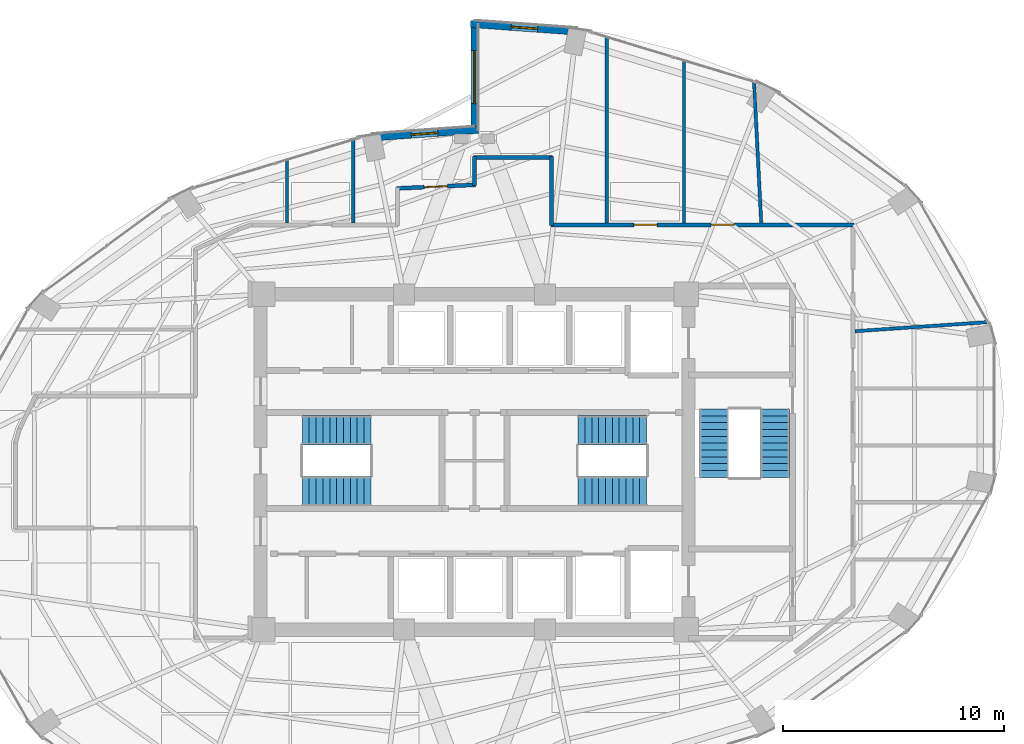
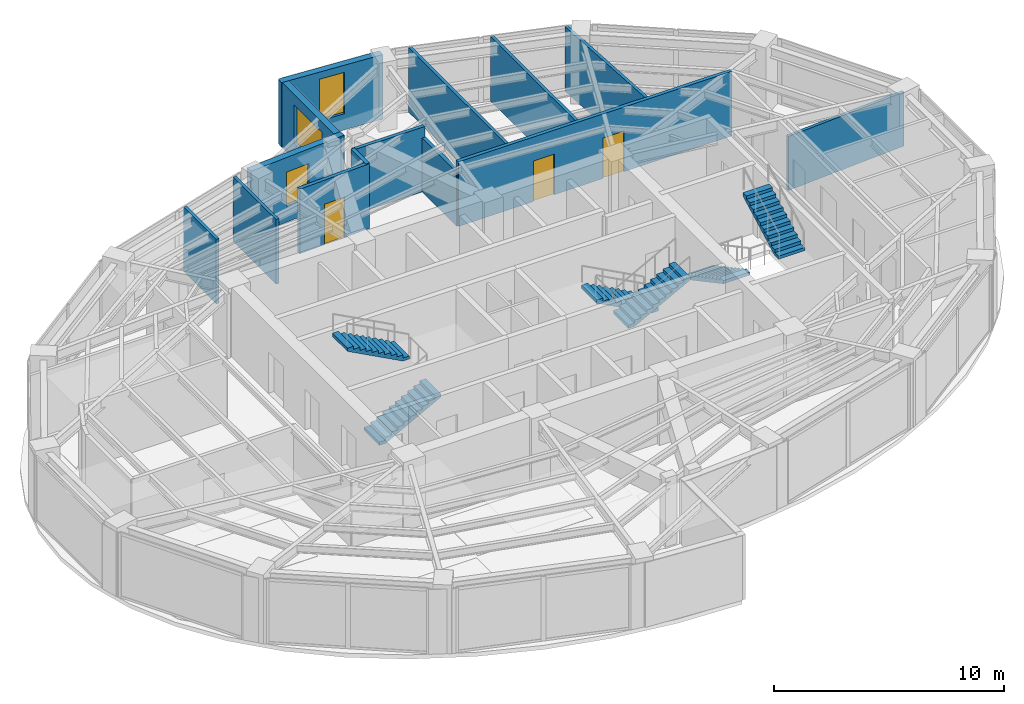
# One storey, part 18 of 20: 14 walls, 6 stair flights, 3 doors, 3 windows, 6 openings, 3 elements without a shape of their own.
"""IFC4 building model written with IfcOpenShell, lengths in metres."""

from ifc_helpers import new_model, si_unit, direction, frame, frame_2d, origin, place, context, subcontext, project, spatial, polyline, rectangle, outline, extrude, material, layer, layer_set, type_object, element, fill, aggregate, save


model = new_model("IFC4")

# Units and contexts
model_context = context("Model", 3, precision=1e-05, world=origin(), true_north=direction((0.0, 1.0)))
body_context = subcontext(model_context, "Body", "Model", "MODEL_VIEW")
ifc_project = project(units=[si_unit("LENGTHUNIT", "METRE"), si_unit("AREAUNIT", "SQUARE_METRE"), si_unit("VOLUMEUNIT", "CUBIC_METRE"), si_unit("PLANEANGLEUNIT", "RADIAN"), si_unit("MASSUNIT", "GRAM", prefix="KILO")], contexts=[model_context])

# Site, building, storey
site_placement = place(None, origin())
site = spatial("IfcSite", under=ifc_project, at=site_placement, CompositionType="ELEMENT")
building_placement = place(site_placement, origin())
building = spatial("IfcBuilding", under=site, at=building_placement, Name="Lazwardi Medical Tower", CompositionType="ELEMENT")
storey_placement = place(building_placement, frame((0.0, 0.0, 160.176025390625)))
storey = spatial("IfcBuildingStorey", under=building, at=storey_placement, Name="L41", CompositionType="ELEMENT", Elevation=160.176025390625)

# Wall, opening, door
ifc_material_1 = material(Name="Fire-rated gypsum board on steel stud", Category="steel")
ifc_layer_1 = layer(ifc_material_1, 0.179931640625)
ifc_layer_set_1 = layer_set([ifc_layer_1], Name="Fire-rated gypsum board on steel stud")
wall_type_1 = type_object("IfcWallType", Name="WL-COR-180", PredefinedType="PARTITIONING", material=ifc_layer_set_1)
wall_1_placement = place(storey_placement, frame((32.4599609375, 40.3974609375, 0.0), z_axis=(0.0, 0.0, 1.0), x_axis=(0.998948498694, 0.045846449783, 0.0)))
wall_1 = element("IfcWall", 1, at=wall_1_placement, inside=storey, type_object=wall_type_1, Name="L41 Corridor partition 8", PredefinedType="PARTITIONING", context=body_context, shape_type="SweptSolid", body=[
    extrude(rectangle(XDim=3.583740234375, YDim=0.179931640625, at=frame_2d((1.7919921875, 0.0))), origin(), (0.0, 0.0, 1.0), 3.427978515625),
])
opening_1_placement = place(wall_1_placement, frame((1.266845703125, 0.0, 0.0)))
opening_1 = element("IfcOpeningElement", 2, at=opening_1_placement, cuts=wall_1, Name="Opening D-L41-021", PredefinedType="OPENING", context=body_context, shape_type="SweptSolid", body=[
    extrude(rectangle(XDim=1.050048828125, YDim=2.14990234375, at=frame_2d((0.52490234375, 1.074951171875))), frame((0.0, 0.099853515625, 0.0), z_axis=(0.0, -1.0, 0.0), x_axis=(1.0, 0.0, 0.0)), (0.0, 0.0, 1.0), 0.199951171875),
])
ifc_material_2 = material(Name="Anti-microbial laminate hospital leaf")
door_type = type_object("IfcDoorType", Name="DR-CLN-1050", OperationType="NOTDEFINED", PredefinedType="DOOR", material=ifc_material_2)
door_1_placement = place(opening_1_placement, origin())
door_1 = element("IfcDoor", 3, at=door_1_placement, inside=storey, type_object=door_type, Name="L41 Outpatient Consultation Suite Door 09", OperationType="SINGLE_SWING_RIGHT", OverallHeight=2.14990234375, OverallWidth=1.050048828125, PredefinedType="DOOR", context=body_context, shape_type="SweptSolid", body=[
    extrude(rectangle(XDim=1.050048828125, YDim=2.14990234375, at=frame_2d((0.52490234375, 1.074951171875))), frame((0.0, 0.02490234375, 0.0), z_axis=(0.0, -1.0, 0.0), x_axis=(1.0, 0.0, 0.0)), (0.0, 0.0, 1.0), 0.050048828125),
])
fill(opening_1, door_1)

# Walls
wall_2_placement = place(storey_placement, frame((36.0, 40.52001953125, 0.0), z_axis=(0.0, 0.0, 1.0), x_axis=(0.0, 1.0, 0.0)))
element("IfcWall", 4, at=wall_2_placement, inside=storey, type_object=wall_type_1, Name="L41 Corridor partition 9", PredefinedType="PARTITIONING", context=body_context, shape_type="SweptSolid", body=[
    extrude(rectangle(XDim=1.320068359375, YDim=0.179931640625, at=frame_2d((0.66015625, 0.0))), origin(), (0.0, 0.0, 1.0), 3.427978515625),
])
wall_3_placement = place(storey_placement, frame((35.9599609375, 41.800048828125, 0.0), z_axis=(0.0, 0.0, 1.0), x_axis=(1.0, 0.0, 0.0)))
element("IfcWall", 5, at=wall_3_placement, inside=storey, type_object=wall_type_1, Name="L41 Corridor partition 10", PredefinedType="PARTITIONING", context=body_context, shape_type="SweptSolid", body=[
    extrude(rectangle(XDim=3.580078125, YDim=0.179931640625, at=frame_2d((1.7900390625, 0.0))), origin(), (0.0, 0.0, 1.0), 3.427978515625),
])
wall_4_placement = place(storey_placement, frame((39.5, 41.840087890625, 0.0), z_axis=(0.0, 0.0, 1.0), x_axis=(0.0, -1.0, 0.0)))
element("IfcWall", 6, at=wall_4_placement, inside=storey, type_object=wall_type_1, Name="L41 Corridor partition 11", PredefinedType="PARTITIONING", context=body_context, shape_type="SweptSolid", body=[
    extrude(rectangle(XDim=3.130126953125, YDim=0.179931640625, at=frame_2d((1.56494140625, 0.0))), origin(), (0.0, 0.0, 1.0), 2.863037109375),
])

# Wall, openings, doors
wall_5_placement = place(storey_placement, frame((39.4599609375, 38.75, 0.0), z_axis=(0.0, 0.0, 1.0), x_axis=(1.0, 0.0, 0.0)))
wall_5 = element("IfcWall", 7, at=wall_5_placement, inside=storey, type_object=wall_type_1, Name="L41 Corridor partition 12", PredefinedType="PARTITIONING", context=body_context, shape_type="SweptSolid", body=[
    extrude(rectangle(XDim=13.72998046875, YDim=0.179931640625, at=frame_2d((6.864990234375, 0.0))), origin(), (0.0, 0.0, 1.0), 3.427978515625),
])
opening_2_placement = place(wall_5_placement, frame((7.262939453125, 0.0, 0.0)))
opening_2 = element("IfcOpeningElement", 8, at=opening_2_placement, cuts=wall_5, Name="Opening D-L41-019", PredefinedType="OPENING", context=body_context, shape_type="SweptSolid", body=[
    extrude(rectangle(XDim=1.050048828125, YDim=2.14990234375, at=frame_2d((0.52490234375, 1.074951171875))), frame((0.0, 0.099853515625, 0.0), z_axis=(0.0, -1.0, 0.0), x_axis=(1.0, 0.0, 0.0)), (0.0, 0.0, 1.0), 0.199951171875),
])
opening_3_placement = place(wall_5_placement, frame((3.764892578125, 0.0, 0.0)))
opening_3 = element("IfcOpeningElement", 9, at=opening_3_placement, cuts=wall_5, Name="Opening D-L41-020", PredefinedType="OPENING", context=body_context, shape_type="SweptSolid", body=[
    extrude(rectangle(XDim=1.050048828125, YDim=2.14990234375, at=frame_2d((0.52490234375, 1.074951171875))), frame((0.0, 0.099853515625, 0.0), z_axis=(0.0, -1.0, 0.0), x_axis=(1.0, 0.0, 0.0)), (0.0, 0.0, 1.0), 0.199951171875),
])
door_2_placement = place(opening_2_placement, origin())
door_2 = element("IfcDoor", 10, at=door_2_placement, inside=storey, type_object=door_type, Name="L41 Outpatient Consultation Suite Door 07", OperationType="SINGLE_SWING_RIGHT", OverallHeight=2.14990234375, OverallWidth=1.050048828125, PredefinedType="DOOR", context=body_context, shape_type="SweptSolid", body=[
    extrude(rectangle(XDim=1.050048828125, YDim=2.14990234375, at=frame_2d((0.52490234375, 1.074951171875))), frame((0.0, 0.02490234375, 0.0), z_axis=(0.0, -1.0, 0.0), x_axis=(1.0, 0.0, 0.0)), (0.0, 0.0, 1.0), 0.050048828125),
])
fill(opening_2, door_2)
door_3_placement = place(opening_3_placement, origin())
door_3 = element("IfcDoor", 11, at=door_3_placement, inside=storey, type_object=door_type, Name="L41 Outpatient Consultation Suite Door 08", OperationType="SINGLE_SWING_LEFT", OverallHeight=2.14990234375, OverallWidth=1.050048828125, PredefinedType="DOOR", context=body_context, shape_type="SweptSolid", body=[
    extrude(rectangle(XDim=1.050048828125, YDim=2.14990234375, at=frame_2d((0.52490234375, 1.074951171875))), frame((0.0, 0.02490234375, 0.0), z_axis=(0.0, -1.0, 0.0), x_axis=(1.0, 0.0, 0.0)), (0.0, 0.0, 1.0), 0.050048828125),
])
fill(opening_3, door_3)

# Wall, opening, window
ifc_material_3 = material(Name="Precast concrete C45/55", Category="concrete")
ifc_layer_2 = layer(ifc_material_3, 0.320068359375)
ifc_layer_set_2 = layer_set([ifc_layer_2], Name="Precast concrete C45/55")
wall_type_2 = type_object("IfcWallType", Name="WL-IWAN-320", PredefinedType="SOLIDWALL", material=ifc_layer_set_2)
wall_6_placement = place(storey_placement, frame((40.700927734375, 47.501220703125, 0.0), z_axis=(0.0, 0.0, 1.0), x_axis=(-0.997415460462, 0.071849838072, 0.0)))
wall_6 = element("IfcWall", 12, at=wall_6_placement, inside=storey, type_object=wall_type_2, Name="L41 Iwan Portal Return Wall NE_ret", PredefinedType="SOLIDWALL", context=body_context, shape_type="SweptSolid", body=[
    extrude(rectangle(XDim=4.89306640625, YDim=0.320068359375, at=frame_2d((2.446533203125, 0.0))), origin(), (0.0, 0.0, 1.0), 3.427978515625),
])
opening_4_placement = place(wall_6_placement, frame((1.846435546875, 0.0, 0.85009765625)))
opening_4 = element("IfcOpeningElement", 13, at=opening_4_placement, cuts=wall_6, Name="Opening WN-01", PredefinedType="OPENING", context=body_context, shape_type="SweptSolid", body=[
    extrude(rectangle(XDim=1.199951171875, YDim=2.199951171875, at=frame_2d((0.60009765625, 1.10009765625))), frame((0.0, 0.169921875, 0.0), z_axis=(0.0, -1.0, 0.0), x_axis=(1.0, 0.0, 0.0)), (0.0, 0.0, 1.0), 0.340087890625),
])
ifc_material_4 = material(Name="Low-e bronze solar control double glazing", Category="glass")
window_type_1 = type_object("IfcWindowType", Name="WIN-IW-1200", PartitioningType="SINGLE_PANEL", PredefinedType="WINDOW", material=ifc_material_4)
window_1_placement = place(opening_4_placement, origin())
window_1 = element("IfcWindow", 14, at=window_1_placement, inside=storey, type_object=window_type_1, Name="L41 Iwan Slot Window NE_ret", OverallHeight=2.199951171875, OverallWidth=1.199951171875, PartitioningType="SINGLE_PANEL", PredefinedType="WINDOW", context=body_context, shape_type="SweptSolid", body=[
    extrude(rectangle(XDim=1.199951171875, YDim=2.199951171875, at=frame_2d((0.60009765625, 1.10009765625))), frame((0.0, 0.030029296875, 0.0), z_axis=(0.0, -1.0, 0.0), x_axis=(1.0, 0.0, 0.0)), (0.0, 0.0, 1.0), 0.06005859375),
])
fill(opening_4, window_1)

wall_7_placement = place(storey_placement, frame((36.17919921875, 43.052978515625, 0.0), z_axis=(0.0, 0.0, 1.0), x_axis=(-0.997415202861, -0.071853413984, 0.0)))
wall_7 = element("IfcWall", 15, at=wall_7_placement, inside=storey, type_object=wall_type_2, Name="L41 Iwan Portal Return Wall NW_ret", PredefinedType="SOLIDWALL", context=body_context, shape_type="SweptSolid", body=[
    extrude(rectangle(XDim=4.892822265625, YDim=0.320068359375, at=frame_2d((2.4462890625, 0.0))), origin(), (0.0, 0.0, 1.0), 3.427978515625),
])
opening_5_placement = place(wall_7_placement, frame((1.84619140625, 0.0, 0.85009765625)))
opening_5 = element("IfcOpeningElement", 16, at=opening_5_placement, cuts=wall_7, Name="Opening WN-04", PredefinedType="OPENING", context=body_context, shape_type="SweptSolid", body=[
    extrude(rectangle(XDim=1.199951171875, YDim=1.800048828125, at=frame_2d((0.60009765625, 0.89990234375))), frame((0.0, 0.169921875, 0.0), z_axis=(0.0, -1.0, 0.0), x_axis=(1.0, 0.0, 0.0)), (0.0, 0.0, 1.0), 0.340087890625),
])
window_type_2 = type_object("IfcWindowType", Name="WIN-DRUM-1200", PartitioningType="SINGLE_PANEL", PredefinedType="WINDOW", material=ifc_material_4)
window_2_placement = place(opening_5_placement, origin())
window_2 = element("IfcWindow", 17, at=window_2_placement, inside=storey, type_object=window_type_2, Name="L41 Iwan Slot Window NW_ret", OverallHeight=1.800048828125, OverallWidth=1.199951171875, PartitioningType="SINGLE_PANEL", PredefinedType="WINDOW", context=body_context, shape_type="SweptSolid", body=[
    extrude(rectangle(XDim=1.199951171875, YDim=1.800048828125, at=frame_2d((0.60009765625, 0.89990234375))), frame((0.0, 0.030029296875, 0.0), z_axis=(0.0, -1.0, 0.0), x_axis=(1.0, 0.0, 0.0)), (0.0, 0.0, 1.0), 0.06005859375),
])
fill(opening_5, window_2)

wall_8_placement = place(storey_placement, frame((36.0, 48.0, 0.0), z_axis=(0.0, 0.0, 1.0), x_axis=(0.0, -1.0, 0.0)))
wall_8 = element("IfcWall", 18, at=wall_8_placement, inside=storey, type_object=wall_type_2, Name="L41 Turquoise Tilework Iwan Seam Wall N_seam", PredefinedType="SOLIDWALL", context=body_context, shape_type="SweptSolid", body=[
    extrude(rectangle(XDim=5.1201171875, YDim=0.320068359375, at=frame_2d((2.56005859375, 0.0))), origin(), (0.0, 0.0, 1.0), 3.427978515625),
])
opening_6_placement = place(wall_8_placement, frame((1.360107421875, 0.0, 0.840087890625)))
opening_6 = element("IfcOpeningElement", 19, at=opening_6_placement, cuts=wall_8, Name="Opening WN-02", PredefinedType="OPENING", context=body_context, shape_type="SweptSolid", body=[
    extrude(rectangle(XDim=2.39990234375, YDim=2.0400390625, at=frame_2d((1.199951171875, 1.02001953125))), frame((0.0, 0.169921875, 0.0), z_axis=(0.0, -1.0, 0.0), x_axis=(1.0, 0.0, 0.0)), (0.0, 0.0, 1.0), 0.340087890625),
])
window_type_3 = type_object("IfcWindowType", Name="WIN-IW-2400", PartitioningType="SINGLE_PANEL", PredefinedType="WINDOW", material=ifc_material_4)
window_3_placement = place(opening_6_placement, origin())
window_3 = element("IfcWindow", 20, at=window_3_placement, inside=storey, type_object=window_type_3, Name="L41 Iwan Seam Window N_seam", OverallHeight=2.0400390625, OverallWidth=2.39990234375, PartitioningType="SINGLE_PANEL", PredefinedType="WINDOW", context=body_context, shape_type="SweptSolid", body=[
    extrude(rectangle(XDim=2.39990234375, YDim=2.0400390625, at=frame_2d((1.199951171875, 1.02001953125))), frame((0.0, 0.030029296875, 0.0), z_axis=(0.0, -1.0, 0.0), x_axis=(1.0, 0.0, 0.0)), (0.0, 0.0, 1.0), 0.06005859375),
])
fill(opening_6, window_3)

# Walls
ifc_material_5 = material(Name="Acoustic gypsum board partition")
ifc_layer_3 = layer(ifc_material_5, 0.14990234375)
ifc_layer_set_3 = layer_set([ifc_layer_3], Name="Acoustic gypsum board partition")
wall_type_3 = type_object("IfcWallType", Name="WL-WRD-150", PredefinedType="PARTITIONING", material=ifc_layer_set_3)
wall_9_placement = place(storey_placement, frame((53.23974609375, 33.925048828125, 0.0), z_axis=(0.0, 0.0, 1.0), x_axis=(0.997659173086, 0.068382558873, 0.0)))
element("IfcWall", 21, at=wall_9_placement, inside=storey, type_object=wall_type_3, Name="L41 Room partition 6", PredefinedType="PARTITIONING", context=body_context, shape_type="SweptSolid", body=[
    extrude(rectangle(XDim=6.051513671875, YDim=0.14990234375, at=frame_2d((3.02587890625, 0.0))), origin(), (0.0, 0.0, 1.0), 2.863037109375),
])
wall_10_placement = place(storey_placement, frame((27.5, 38.840087890625, 0.0), z_axis=(0.0, 0.0, 1.0), x_axis=(0.0, 1.0, 0.0)))
element("IfcWall", 22, at=wall_10_placement, inside=storey, type_object=wall_type_3, Name="L41 Room partition 7", PredefinedType="PARTITIONING", context=body_context, shape_type="SweptSolid", body=[
    extrude(rectangle(XDim=2.83935546875, YDim=0.14990234375, at=frame_2d((1.419677734375, 0.0))), origin(), (0.0, 0.0, 1.0), 3.427978515625),
])
wall_11_placement = place(storey_placement, frame((30.5, 38.840087890625, 0.0), z_axis=(0.0, 0.0, 1.0), x_axis=(0.0, 1.0, 0.0)))
element("IfcWall", 23, at=wall_11_placement, inside=storey, type_object=wall_type_3, Name="L41 Room partition 8", PredefinedType="PARTITIONING", context=body_context, shape_type="SweptSolid", body=[
    extrude(rectangle(XDim=3.749267578125, YDim=0.14990234375, at=frame_2d((1.87451171875, 0.0))), origin(), (0.0, 0.0, 1.0), 3.427978515625),
])
wall_12_placement = place(storey_placement, frame((42.0, 38.840087890625, 0.0), z_axis=(0.0, 0.0, 1.0), x_axis=(0.0, 1.0, 0.0)))
element("IfcWall", 24, at=wall_12_placement, inside=storey, type_object=wall_type_3, Name="L41 Room partition 9", PredefinedType="PARTITIONING", context=body_context, shape_type="SweptSolid", body=[
    extrude(rectangle(XDim=8.397705078125, YDim=0.14990234375, at=frame_2d((4.19873046875, 0.0))), origin(), (0.0, 0.0, 1.0), 3.427978515625),
])
wall_13_placement = place(storey_placement, frame((45.5, 38.840087890625, 0.0), z_axis=(0.0, 0.0, 1.0), x_axis=(0.0, 1.0, 0.0)))
element("IfcWall", 25, at=wall_13_placement, inside=storey, type_object=wall_type_3, Name="L41 Room partition 10", PredefinedType="PARTITIONING", context=body_context, shape_type="SweptSolid", body=[
    extrude(rectangle(XDim=7.3359375, YDim=0.14990234375, at=frame_2d((3.66796875, 0.0))), origin(), (0.0, 0.0, 1.0), 3.427978515625),
])
wall_14_placement = place(storey_placement, frame((48.99609375, 38.83984375, 0.0), z_axis=(0.0, 0.0, 1.0), x_axis=(-0.050906361105, 0.998703430653, 0.0)))
element("IfcWall", 26, at=wall_14_placement, inside=storey, type_object=wall_type_3, Name="L41 Room partition 11", PredefinedType="PARTITIONING", context=body_context, shape_type="SweptSolid", body=[
    extrude(rectangle(XDim=6.397705078125, YDim=0.14990234375, at=frame_2d((3.19873046875, 0.0))), origin(), (0.0, 0.0, 1.0), 3.427978515625),
])

# Stair, stair flights
ifc_material_6 = material(Name="Concrete C45/55", Category="concrete")
stair_type = type_object("IfcStairType", Name="STR-WRD", PredefinedType="HALF_TURN_STAIR", material=ifc_material_6)
stair_1_placement = place(storey_placement, origin())
stair_1 = element("IfcStair", 27, at=stair_1_placement, inside=storey, type_object=stair_type, Name="L41 Protected Exit Stair ST1", PredefinedType="HALF_TURN_STAIR")
stair_flight_type = type_object("IfcStairFlightType", Name="FLT-WRD", PredefinedType="STRAIGHT", material=ifc_material_6)
stair_flight_1_placement = place(storey_placement, frame((28.199951171875, 26.679931640625, 0.0), z_axis=(0.0, 0.0, 1.0), x_axis=(1.0, 0.0, 0.0)))
stair_flight_1 = element("IfcStairFlight", 28, at=stair_flight_1_placement, type_object=stair_flight_type, Name="ST1 flight 1", NumberOfRisers=11, NumberOfTreads=10, PredefinedType="STRAIGHT", RiserHeight=0.165818182, TreadLength=0.31, context=body_context, shape_type="SweptSolid", body=[
    extrude(outline(polyline([(0.0, 0.0), (0.0, 0.165771484375), (0.31005859375, 0.165771484375), (0.31005859375, 0.33154296875), (0.6201171875, 0.33154296875), (0.6201171875, 0.49755859375), (0.929931640625, 0.49755859375), (0.929931640625, 0.663330078125), (1.239990234375, 0.663330078125), (1.239990234375, 0.8291015625), (1.550048828125, 0.8291015625), (1.550048828125, 0.994873046875), (1.860107421875, 0.994873046875), (1.860107421875, 1.16064453125), (2.169921875, 1.16064453125), (2.169921875, 1.32666015625), (2.47998046875, 1.32666015625), (2.47998046875, 1.492431640625), (2.7900390625, 1.492431640625), (2.7900390625, 1.658203125), (3.10009765625, 1.658203125), (3.10009765625, 1.823974609375), (3.10009765625, 1.48828125), (0.31787109375, 0.0), (0.0, 0.0)])), frame((0.0, 0.66015625, 0.0), z_axis=(0.0, -1.0, 0.0), x_axis=(1.0, 0.0, 0.0)), (0.0, 0.0, 1.0), 1.320068359375),
])
stair_flight_2_placement = place(storey_placement, frame((31.300048828125, 29.43994140625, 1.823974609375), z_axis=(0.0, 0.0, 1.0), x_axis=(-1.0, 0.0, 0.0)))
stair_flight_2 = element("IfcStairFlight", 29, at=stair_flight_2_placement, type_object=stair_flight_type, Name="ST1 flight 2", NumberOfRisers=11, NumberOfTreads=10, PredefinedType="STRAIGHT", RiserHeight=0.165818182, TreadLength=0.31, context=body_context, shape_type="SweptSolid", body=[
    extrude(outline(polyline([(0.0, 0.0), (0.0, 0.165771484375), (0.31005859375, 0.165771484375), (0.31005859375, 0.33154296875), (0.6201171875, 0.33154296875), (0.6201171875, 0.49755859375), (0.929931640625, 0.49755859375), (0.929931640625, 0.663330078125), (1.239990234375, 0.663330078125), (1.239990234375, 0.8291015625), (1.550048828125, 0.8291015625), (1.550048828125, 0.994873046875), (1.860107421875, 0.994873046875), (1.860107421875, 1.16064453125), (2.169921875, 1.16064453125), (2.169921875, 1.32666015625), (2.47998046875, 1.32666015625), (2.47998046875, 1.492431640625), (2.7900390625, 1.492431640625), (2.7900390625, 1.658203125), (3.10009765625, 1.658203125), (3.10009765625, 1.823974609375), (3.10009765625, 1.48828125), (0.31787109375, 0.0), (0.0, 0.0)])), frame((0.0, 0.66015625, 0.0), z_axis=(0.0, -1.0, 0.0), x_axis=(1.0, 0.0, 0.0)), (0.0, 0.0, 1.0), 1.320068359375),
])
aggregate(stair_1, [stair_flight_1, stair_flight_2])

stair_2_placement = place(storey_placement, origin())
stair_2 = element("IfcStair", 30, at=stair_2_placement, inside=storey, type_object=stair_type, Name="L41 Protected Exit Stair ST2", PredefinedType="HALF_TURN_STAIR")
stair_flight_3_placement = place(storey_placement, frame((43.800048828125, 29.43994140625, 0.0), z_axis=(0.0, 0.0, 1.0), x_axis=(-1.0, 0.0, 0.0)))
stair_flight_3 = element("IfcStairFlight", 31, at=stair_flight_3_placement, type_object=stair_flight_type, Name="ST2 flight 1", NumberOfRisers=11, NumberOfTreads=10, PredefinedType="STRAIGHT", RiserHeight=0.165818182, TreadLength=0.31, context=body_context, shape_type="SweptSolid", body=[
    extrude(outline(polyline([(0.0, 0.0), (0.0, 0.165771484375), (0.31005859375, 0.165771484375), (0.31005859375, 0.33154296875), (0.6201171875, 0.33154296875), (0.6201171875, 0.49755859375), (0.929931640625, 0.49755859375), (0.929931640625, 0.663330078125), (1.239990234375, 0.663330078125), (1.239990234375, 0.8291015625), (1.550048828125, 0.8291015625), (1.550048828125, 0.994873046875), (1.860107421875, 0.994873046875), (1.860107421875, 1.16064453125), (2.169921875, 1.16064453125), (2.169921875, 1.32666015625), (2.47998046875, 1.32666015625), (2.47998046875, 1.492431640625), (2.7900390625, 1.492431640625), (2.7900390625, 1.658203125), (3.10009765625, 1.658203125), (3.10009765625, 1.823974609375), (3.10009765625, 1.48828125), (0.31787109375, 0.0), (0.0, 0.0)])), frame((0.0, 0.66015625, 0.0), z_axis=(0.0, -1.0, 0.0), x_axis=(1.0, 0.0, 0.0)), (0.0, 0.0, 1.0), 1.320068359375),
])
stair_flight_4_placement = place(storey_placement, frame((40.699951171875, 26.679931640625, 1.823974609375), z_axis=(0.0, 0.0, 1.0), x_axis=(1.0, 0.0, 0.0)))
stair_flight_4 = element("IfcStairFlight", 32, at=stair_flight_4_placement, type_object=stair_flight_type, Name="ST2 flight 2", NumberOfRisers=11, NumberOfTreads=10, PredefinedType="STRAIGHT", RiserHeight=0.165818182, TreadLength=0.31, context=body_context, shape_type="SweptSolid", body=[
    extrude(outline(polyline([(0.0, 0.0), (0.0, 0.165771484375), (0.31005859375, 0.165771484375), (0.31005859375, 0.33154296875), (0.6201171875, 0.33154296875), (0.6201171875, 0.49755859375), (0.929931640625, 0.49755859375), (0.929931640625, 0.663330078125), (1.239990234375, 0.663330078125), (1.239990234375, 0.8291015625), (1.550048828125, 0.8291015625), (1.550048828125, 0.994873046875), (1.860107421875, 0.994873046875), (1.860107421875, 1.16064453125), (2.169921875, 1.16064453125), (2.169921875, 1.32666015625), (2.47998046875, 1.32666015625), (2.47998046875, 1.492431640625), (2.7900390625, 1.492431640625), (2.7900390625, 1.658203125), (3.10009765625, 1.658203125), (3.10009765625, 1.823974609375), (3.10009765625, 1.48828125), (0.31787109375, 0.0), (0.0, 0.0)])), frame((0.0, 0.66015625, 0.0), z_axis=(0.0, -1.0, 0.0), x_axis=(1.0, 0.0, 0.0)), (0.0, 0.0, 1.0), 1.320068359375),
])
aggregate(stair_2, [stair_flight_3, stair_flight_4])

stair_3_placement = place(storey_placement, origin())
stair_3 = element("IfcStair", 33, at=stair_3_placement, inside=storey, type_object=stair_type, Name="L41 Protected Exit Stair ST3", PredefinedType="HALF_TURN_STAIR")
stair_flight_5_placement = place(storey_placement, frame((46.860107421875, 30.39990234375, 0.0), z_axis=(0.0, 0.0, 1.0), x_axis=(0.0, -1.0, 0.0)))
stair_flight_5 = element("IfcStairFlight", 34, at=stair_flight_5_placement, type_object=stair_flight_type, Name="ST3 flight 1", NumberOfRisers=11, NumberOfTreads=10, PredefinedType="STRAIGHT", RiserHeight=0.165818182, TreadLength=0.31, context=body_context, shape_type="SweptSolid", body=[
    extrude(outline(polyline([(0.0, 0.0), (0.0, 0.165771484375), (0.31005859375, 0.165771484375), (0.31005859375, 0.33154296875), (0.6201171875, 0.33154296875), (0.6201171875, 0.49755859375), (0.929931640625, 0.49755859375), (0.929931640625, 0.663330078125), (1.239990234375, 0.663330078125), (1.239990234375, 0.8291015625), (1.550048828125, 0.8291015625), (1.550048828125, 0.994873046875), (1.860107421875, 0.994873046875), (1.860107421875, 1.16064453125), (2.169921875, 1.16064453125), (2.169921875, 1.32666015625), (2.47998046875, 1.32666015625), (2.47998046875, 1.492431640625), (2.7900390625, 1.492431640625), (2.7900390625, 1.658203125), (3.10009765625, 1.658203125), (3.10009765625, 1.823974609375), (3.10009765625, 1.48828125), (0.31787109375, 0.0), (0.0, 0.0)])), frame((0.0, 0.66015625, 0.0), z_axis=(0.0, -1.0, 0.0), x_axis=(1.0, 0.0, 0.0)), (0.0, 0.0, 1.0), 1.320068359375),
])
stair_flight_6_placement = place(storey_placement, frame((49.6201171875, 27.300048828125, 1.823974609375), z_axis=(0.0, 0.0, 1.0), x_axis=(0.0, 1.0, 0.0)))
stair_flight_6 = element("IfcStairFlight", 35, at=stair_flight_6_placement, type_object=stair_flight_type, Name="ST3 flight 2", NumberOfRisers=11, NumberOfTreads=10, PredefinedType="STRAIGHT", RiserHeight=0.165818182, TreadLength=0.31, context=body_context, shape_type="SweptSolid", body=[
    extrude(outline(polyline([(0.0, 0.0), (0.0, 0.165771484375), (0.31005859375, 0.165771484375), (0.31005859375, 0.33154296875), (0.6201171875, 0.33154296875), (0.6201171875, 0.49755859375), (0.929931640625, 0.49755859375), (0.929931640625, 0.663330078125), (1.239990234375, 0.663330078125), (1.239990234375, 0.8291015625), (1.550048828125, 0.8291015625), (1.550048828125, 0.994873046875), (1.860107421875, 0.994873046875), (1.860107421875, 1.16064453125), (2.169921875, 1.16064453125), (2.169921875, 1.32666015625), (2.47998046875, 1.32666015625), (2.47998046875, 1.492431640625), (2.7900390625, 1.492431640625), (2.7900390625, 1.658203125), (3.10009765625, 1.658203125), (3.10009765625, 1.823974609375), (3.10009765625, 1.48828125), (0.31787109375, 0.0), (0.0, 0.0)])), frame((0.0, 0.66015625, 0.0), z_axis=(0.0, -1.0, 0.0), x_axis=(1.0, 0.0, 0.0)), (0.0, 0.0, 1.0), 1.320068359375),
])
aggregate(stair_3, [stair_flight_5, stair_flight_6])

save(model, "model.ifc")
